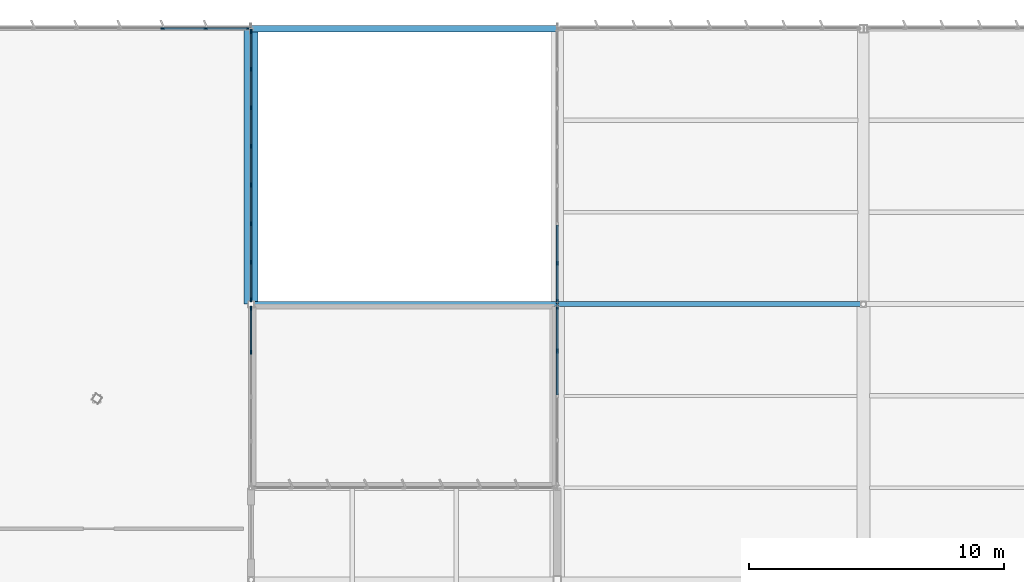
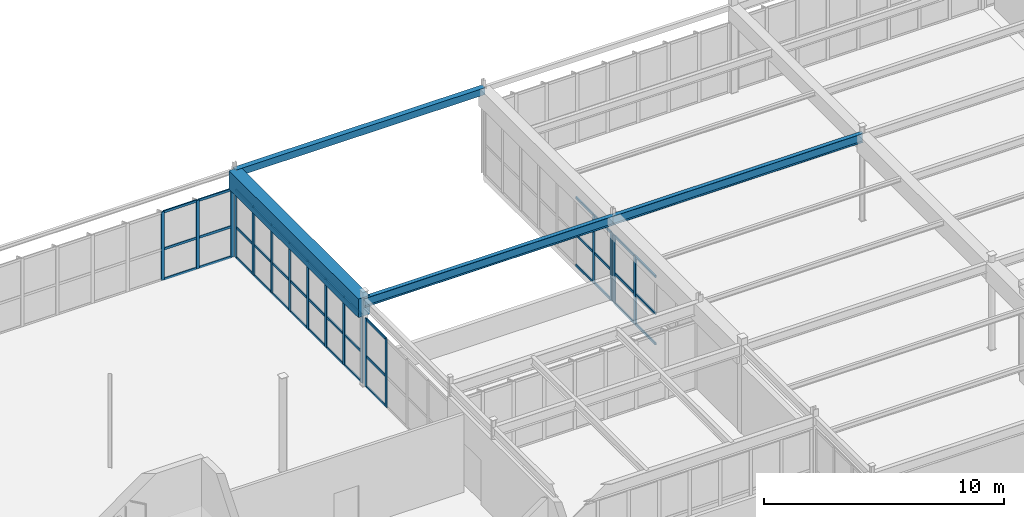
# One storey, part 127 of 226: 59 members, 4 beams, 5 elements without a shape of their own.
"""IFC4 building model written with IfcOpenShell, lengths in metres."""

from ifc_helpers import new_model, si_unit, direction, frame, origin, origin_2d, place, context, subcontext, project, spatial, rectangle, hollow_rectangle, i_section, extrude, material, layer, layer_set, material_profile, profile_set, type_object, element, aggregate, save


model = new_model("IFC4")

# Units and contexts
model_context = context("Model", 3, precision=1e-05, world=origin(), true_north=direction((0.0, 1.0)))
body_context = subcontext(model_context, "Body", "Model", "MODEL_VIEW")
ifc_project = project(units=[si_unit("LENGTHUNIT", "METRE"), si_unit("AREAUNIT", "SQUARE_METRE"), si_unit("VOLUMEUNIT", "CUBIC_METRE"), si_unit("PLANEANGLEUNIT", "RADIAN"), si_unit("MASSUNIT", "GRAM", prefix="KILO")], contexts=[model_context])

# Site, building, storey
site_placement = place(None, origin())
site = spatial("IfcSite", under=ifc_project, at=site_placement, CompositionType="ELEMENT")
building_placement = place(site_placement, origin())
building = spatial("IfcBuilding", under=site, at=building_placement, Name="Tarnwether General Hospital", CompositionType="ELEMENT")
storey_placement = place(building_placement, frame((0.0, 0.0, 4.800048828125)))
storey = spatial("IfcBuildingStorey", under=building, at=storey_placement, Name="L01", CompositionType="ELEMENT", Elevation=4.800048828125)

# Beams
ifc_material_1 = material(Name="Steel Grade 350 (350 MPa)", Category="steel")
ifc_material_profile_1 = material_profile(ifc_material_1, i_section(OverallWidth=0.19091796875, OverallDepth=0.4599609375, WebThickness=0.010009765625, FlangeThickness=0.01611328125, at=origin_2d()), Name="460UB82.1")
ifc_profile_set_1 = profile_set([ifc_material_profile_1], Name="Steel Grade 350 (350 MPa)")
beam_type_1 = type_object("IfcBeamType", Name="BM-G08", PredefinedType="BEAM", material=ifc_profile_set_1)
beam_1_placement = place(storey_placement, frame((132.0, 115.199951171875, 4.21484375), z_axis=(1.0, 0.0, 0.0), x_axis=(0.0, 1.0, 0.0)))
element("IfcBeam", 1, at=beam_1_placement, inside=storey, type_object=beam_type_1, Name="Primary Girder BMG-L01-13200_11520-14400_11520-1207", PredefinedType="BEAM", context=body_context, shape_type="SweptSolid", body=[
    extrude(i_section(OverallWidth=0.19091796875, OverallDepth=0.4599609375, WebThickness=0.010009765625, FlangeThickness=0.01611328125, at=origin_2d()), origin(), (0.0, 0.0, 1.0), 12.0),
])
ifc_material_2 = material(Name="Steel Grade 350 (350 MPa)", Category="steel")
ifc_material_profile_2 = material_profile(ifc_material_2, i_section(OverallWidth=0.18994140625, OverallDepth=0.45703125, WebThickness=0.009033203125, FlangeThickness=0.014404296875, at=origin_2d()), Name="460UB74.6")
ifc_profile_set_2 = profile_set([ifc_material_profile_2], Name="Steel Grade 350 (350 MPa)")
beam_type_2 = type_object("IfcBeamType", Name="BM-G09", PredefinedType="BEAM", material=ifc_profile_set_2)
beam_2_placement = place(storey_placement, frame((144.0, 115.199951171875, 4.216552734375), z_axis=(1.0, 0.0, 0.0), x_axis=(0.0, 1.0, 0.0)))
element("IfcBeam", 2, at=beam_2_placement, inside=storey, type_object=beam_type_2, Name="Primary Girder BMG-L01-14400_11520-15600_11520-1228", PredefinedType="BEAM", context=body_context, shape_type="SweptSolid", body=[
    extrude(i_section(OverallWidth=0.18994140625, OverallDepth=0.45703125, WebThickness=0.009033203125, FlangeThickness=0.014404296875, at=origin_2d()), origin(), (0.0, 0.0, 1.0), 12.0),
])
ifc_material_3 = material(Name="Concrete 40 MPa", Category="concrete")
ifc_material_profile_3 = material_profile(ifc_material_3, rectangle(XDim=0.550048828125, YDim=0.949951171875, at=origin_2d()), Name="RC-BM-550x950")
ifc_profile_set_3 = profile_set([ifc_material_profile_3], Name="Concrete 40 MPa")
beam_type_3 = type_object("IfcBeamType", Name="BM-G11", PredefinedType="BEAM", material=ifc_profile_set_3)
beam_3_placement = place(storey_placement, frame((132.0, 115.199951171875, 3.969970703125), z_axis=(0.0, 1.0, 0.0), x_axis=(-1.0, 0.0, 0.0)))
element("IfcBeam", 3, at=beam_3_placement, inside=storey, type_object=beam_type_3, Name="Primary Girder BMG-L01-13200_11520-13200_12600-1208", PredefinedType="BEAM", context=body_context, shape_type="SweptSolid", body=[
    extrude(rectangle(XDim=0.550048828125, YDim=0.949951171875, at=origin_2d()), origin(), (0.0, 0.0, 1.0), 10.800048828125),
])
ifc_material_4 = material(Name="Steel Grade C350L0 (350 MPa)", Category="steel")
ifc_material_profile_4 = material_profile(ifc_material_4, hollow_rectangle(XDim=0.25, YDim=0.35009765625, WallThickness=0.012451171875, at=origin_2d()), Name="RHS350x250x12.5")
ifc_profile_set_4 = profile_set([ifc_material_profile_4], Name="Steel Grade C350L0 (350 MPa)")
beam_type_4 = type_object("IfcBeamType", Name="BM-SP7", PredefinedType="SPANDREL", material=ifc_profile_set_4)
beam_4_placement = place(storey_placement, frame((132.0, 126.0, 4.27001953125), z_axis=(1.0, 0.0, 0.0), x_axis=(0.0, 1.0, 0.0)))
element("IfcBeam", 4, at=beam_4_placement, inside=storey, type_object=beam_type_4, Name="Primary Girder BMG-L01-13200_12600-14400_12600-1209", PredefinedType="SPANDREL", context=body_context, shape_type="SweptSolid", body=[
    extrude(hollow_rectangle(XDim=0.25, YDim=0.35009765625, WallThickness=0.012451171875, at=origin_2d()), origin(), (0.0, 0.0, 1.0), 12.0),
])

# Curtain wall, members
ifc_material_5 = material(Name="Anodised aluminium", Category="aluminium")
ifc_layer_1 = layer(ifc_material_5, 0.159912109375)
ifc_layer_set_1 = layer_set([ifc_layer_1], Name="Anodised aluminium")
curtain_wall_type_1 = type_object("IfcCurtainWallType", Name="CW-14", PredefinedType="NOTDEFINED", material=ifc_layer_set_1)
curtain_wall_1_placement = place(storey_placement, origin())
curtain_wall_1 = element("IfcCurtainWall", 5, at=curtain_wall_1_placement, inside=storey, type_object=curtain_wall_type_1, Name="Curtain Wall CWG-L01-1201_1260-0328", PredefinedType="NOTDEFINED")
ifc_material_6 = material(Name="Anodised aluminium", Category="aluminium")
ifc_material_profile_5 = material_profile(ifc_material_6, rectangle(XDim=0.06005859375, YDim=0.159912109375, at=origin_2d()), Name="ALU-MUL-60x160")
ifc_profile_set_5 = profile_set([ifc_material_profile_5], Name="Anodised aluminium")
member_type_1 = type_object("IfcMemberType", Name="CW-ML1", PredefinedType="MULLION", material=ifc_profile_set_5)
member_1_placement = place(storey_placement, frame((128.53173828125, 126.0, 0.0), z_axis=(0.0, 0.0, 1.0), x_axis=(0.0, 1.0, 0.0)))
member_1 = element("IfcMember", 6, at=member_1_placement, type_object=member_type_1, Name="CW-14 mullion 6", PredefinedType="MULLION", context=body_context, shape_type="SweptSolid", body=[
    extrude(rectangle(XDim=0.06005859375, YDim=0.159912109375, at=origin_2d()), origin(), (0.0, 0.0, 1.0), 3.47998046875),
])
member_2_placement = place(storey_placement, frame((130.223876953125, 126.0, 0.0), z_axis=(0.0, 0.0, 1.0), x_axis=(0.0, 1.0, 0.0)))
member_2 = element("IfcMember", 7, at=member_2_placement, type_object=member_type_1, Name="CW-14 mullion 7", PredefinedType="MULLION", context=body_context, shape_type="SweptSolid", body=[
    extrude(rectangle(XDim=0.06005859375, YDim=0.159912109375, at=origin_2d()), origin(), (0.0, 0.0, 1.0), 3.47998046875),
])
member_3_placement = place(storey_placement, frame((131.885986328125, 126.0, 0.0), z_axis=(0.0, 0.0, 1.0), x_axis=(0.0, 1.0, 0.0)))
member_3 = element("IfcMember", 8, at=member_3_placement, type_object=member_type_1, Name="CW-14 mullion 8", PredefinedType="MULLION", context=body_context, shape_type="SweptSolid", body=[
    extrude(rectangle(XDim=0.06005859375, YDim=0.159912109375, at=origin_2d()), origin(), (0.0, 0.0, 1.0), 3.47998046875),
])

ifc_material_7 = material(Name="Anodised aluminium", Category="aluminium")
ifc_layer_2 = layer(ifc_material_7, 0.159912109375)
ifc_layer_set_2 = layer_set([ifc_layer_2], Name="Anodised aluminium")
curtain_wall_type_2 = type_object("IfcCurtainWallType", Name="CW-15", PredefinedType="NOTDEFINED", material=ifc_layer_set_2)
curtain_wall_2_placement = place(storey_placement, origin())
curtain_wall_2 = element("IfcCurtainWall", 9, at=curtain_wall_2_placement, inside=storey, type_object=curtain_wall_type_2, Name="Curtain Wall CWG-L01-1320_1259-0375", PredefinedType="NOTDEFINED")
member_4_placement = place(storey_placement, frame((132.0, 125.885986328125, 0.0), z_axis=(0.0, 0.0, 1.0), x_axis=(1.0, 0.0, 0.0)))
member_4 = element("IfcMember", 10, at=member_4_placement, type_object=member_type_1, Name="CW-15 mullion 1", PredefinedType="MULLION", context=body_context, shape_type="SweptSolid", body=[
    extrude(rectangle(XDim=0.06005859375, YDim=0.159912109375, at=origin_2d()), origin(), (0.0, 0.0, 1.0), 3.47998046875),
])
member_5_placement = place(storey_placement, frame((132.0, 124.404052734375, 0.0), z_axis=(0.0, 0.0, 1.0), x_axis=(1.0, 0.0, 0.0)))
member_5 = element("IfcMember", 11, at=member_5_placement, type_object=member_type_1, Name="CW-15 mullion 2", PredefinedType="MULLION", context=body_context, shape_type="SweptSolid", body=[
    extrude(rectangle(XDim=0.06005859375, YDim=0.159912109375, at=origin_2d()), origin(), (0.0, 0.0, 1.0), 3.47998046875),
])
member_6_placement = place(storey_placement, frame((132.0, 122.892333984375, 0.0), z_axis=(0.0, 0.0, 1.0), x_axis=(1.0, 0.0, 0.0)))
member_6 = element("IfcMember", 12, at=member_6_placement, type_object=member_type_1, Name="CW-15 mullion 3", PredefinedType="MULLION", context=body_context, shape_type="SweptSolid", body=[
    extrude(rectangle(XDim=0.06005859375, YDim=0.159912109375, at=origin_2d()), origin(), (0.0, 0.0, 1.0), 3.47998046875),
])
member_7_placement = place(storey_placement, frame((132.0, 121.38037109375, 0.0), z_axis=(0.0, 0.0, 1.0), x_axis=(1.0, 0.0, 0.0)))
member_7 = element("IfcMember", 13, at=member_7_placement, type_object=member_type_1, Name="CW-15 mullion 4", PredefinedType="MULLION", context=body_context, shape_type="SweptSolid", body=[
    extrude(rectangle(XDim=0.06005859375, YDim=0.159912109375, at=origin_2d()), origin(), (0.0, 0.0, 1.0), 3.47998046875),
])
member_8_placement = place(storey_placement, frame((132.0, 119.86865234375, 0.0), z_axis=(0.0, 0.0, 1.0), x_axis=(1.0, 0.0, 0.0)))
member_8 = element("IfcMember", 14, at=member_8_placement, type_object=member_type_1, Name="CW-15 mullion 5", PredefinedType="MULLION", context=body_context, shape_type="SweptSolid", body=[
    extrude(rectangle(XDim=0.06005859375, YDim=0.159912109375, at=origin_2d()), origin(), (0.0, 0.0, 1.0), 3.47998046875),
])
member_9_placement = place(storey_placement, frame((132.0, 118.356689453125, 0.0), z_axis=(0.0, 0.0, 1.0), x_axis=(1.0, 0.0, 0.0)))
member_9 = element("IfcMember", 15, at=member_9_placement, type_object=member_type_1, Name="CW-15 mullion 6", PredefinedType="MULLION", context=body_context, shape_type="SweptSolid", body=[
    extrude(rectangle(XDim=0.06005859375, YDim=0.159912109375, at=origin_2d()), origin(), (0.0, 0.0, 1.0), 3.47998046875),
])
member_10_placement = place(storey_placement, frame((132.0, 116.844970703125, 0.0), z_axis=(0.0, 0.0, 1.0), x_axis=(1.0, 0.0, 0.0)))
member_10 = element("IfcMember", 16, at=member_10_placement, type_object=member_type_1, Name="CW-15 mullion 7", PredefinedType="MULLION", context=body_context, shape_type="SweptSolid", body=[
    extrude(rectangle(XDim=0.06005859375, YDim=0.159912109375, at=origin_2d()), origin(), (0.0, 0.0, 1.0), 3.47998046875),
])
member_11_placement = place(storey_placement, frame((132.0, 115.363037109375, 0.0), z_axis=(0.0, 0.0, 1.0), x_axis=(1.0, 0.0, 0.0)))
member_11 = element("IfcMember", 17, at=member_11_placement, type_object=member_type_1, Name="CW-15 mullion 8", PredefinedType="MULLION", context=body_context, shape_type="SweptSolid", body=[
    extrude(rectangle(XDim=0.06005859375, YDim=0.159912109375, at=origin_2d()), origin(), (0.0, 0.0, 1.0), 3.47998046875),
])

curtain_wall_3_placement = place(storey_placement, origin())
curtain_wall_3 = element("IfcCurtainWall", 18, at=curtain_wall_3_placement, inside=storey, type_object=curtain_wall_type_2, Name="Curtain Wall CWG-L01-1320_1151-0376", PredefinedType="NOTDEFINED")
member_12_placement = place(storey_placement, frame((132.0, 115.037109375, 0.0), z_axis=(0.0, 0.0, 1.0), x_axis=(1.0, 0.0, 0.0)))
member_12 = element("IfcMember", 19, at=member_12_placement, type_object=member_type_1, Name="CW-15 mullion 1", PredefinedType="MULLION", context=body_context, shape_type="SweptSolid", body=[
    extrude(rectangle(XDim=0.06005859375, YDim=0.159912109375, at=origin_2d()), origin(), (0.0, 0.0, 1.0), 3.47998046875),
])
member_13_placement = place(storey_placement, frame((132.0, 113.321044921875, 0.0), z_axis=(0.0, 0.0, 1.0), x_axis=(1.0, 0.0, 0.0)))
member_13 = element("IfcMember", 20, at=member_13_placement, type_object=member_type_1, Name="CW-15 mullion 2", PredefinedType="MULLION", context=body_context, shape_type="SweptSolid", body=[
    extrude(rectangle(XDim=0.06005859375, YDim=0.159912109375, at=origin_2d()), origin(), (0.0, 0.0, 1.0), 3.47998046875),
])

curtain_wall_4_placement = place(storey_placement, origin())
curtain_wall_4 = element("IfcCurtainWall", 21, at=curtain_wall_4_placement, inside=storey, type_object=curtain_wall_type_2, Name="Curtain Wall CWG-L01-1440_1081-0377", PredefinedType="NOTDEFINED")
member_14_placement = place(storey_placement, frame((144.0, 113.363037109375, 0.0), z_axis=(0.0, 0.0, 1.0), x_axis=(-1.0, 0.0, 0.0)))
member_14 = element("IfcMember", 22, at=member_14_placement, type_object=member_type_1, Name="CW-15 mullion 4", PredefinedType="MULLION", context=body_context, shape_type="SweptSolid", body=[
    extrude(rectangle(XDim=0.06005859375, YDim=0.159912109375, at=origin_2d()), origin(), (0.0, 0.0, 1.0), 3.47998046875),
])
member_15_placement = place(storey_placement, frame((144.0, 115.0830078125, 0.0), z_axis=(0.0, 0.0, 1.0), x_axis=(-1.0, 0.0, 0.0)))
member_15 = element("IfcMember", 23, at=member_15_placement, type_object=member_type_1, Name="CW-15 mullion 5", PredefinedType="MULLION", context=body_context, shape_type="SweptSolid", body=[
    extrude(rectangle(XDim=0.06005859375, YDim=0.159912109375, at=origin_2d()), origin(), (0.0, 0.0, 1.0), 3.47998046875),
])

curtain_wall_5_placement = place(storey_placement, origin())
curtain_wall_5 = element("IfcCurtainWall", 24, at=curtain_wall_5_placement, inside=storey, type_object=curtain_wall_type_2, Name="Curtain Wall CWG-L01-1440_1153-0378", PredefinedType="NOTDEFINED")
member_16_placement = place(storey_placement, frame((144.0, 115.31689453125, 0.0), z_axis=(0.0, 0.0, 1.0), x_axis=(-1.0, 0.0, 0.0)))
member_16 = element("IfcMember", 25, at=member_16_placement, type_object=member_type_1, Name="CW-15 mullion 1", PredefinedType="MULLION", context=body_context, shape_type="SweptSolid", body=[
    extrude(rectangle(XDim=0.06005859375, YDim=0.159912109375, at=origin_2d()), origin(), (0.0, 0.0, 1.0), 3.47998046875),
])
member_17_placement = place(storey_placement, frame((144.0, 116.805419921875, 0.0), z_axis=(0.0, 0.0, 1.0), x_axis=(-1.0, 0.0, 0.0)))
member_17 = element("IfcMember", 26, at=member_17_placement, type_object=member_type_1, Name="CW-15 mullion 2", PredefinedType="MULLION", context=body_context, shape_type="SweptSolid", body=[
    extrude(rectangle(XDim=0.06005859375, YDim=0.159912109375, at=origin_2d()), origin(), (0.0, 0.0, 1.0), 3.47998046875),
])

# Member
ifc_material_8 = material(Name="Anodised aluminium", Category="aluminium")
ifc_material_profile_6 = material_profile(ifc_material_8, rectangle(XDim=0.06005859375, YDim=0.1201171875, at=origin_2d()), Name="ALU-TRN-60x120")
ifc_profile_set_6 = profile_set([ifc_material_profile_6], Name="Anodised aluminium")
member_type_2 = type_object("IfcMemberType", Name="CW-TR1", PredefinedType="USERDEFINED", material=ifc_profile_set_6)
member_18_placement = place(storey_placement, frame((128.561767578125, 126.0, 0.030029296875), z_axis=(1.0, 0.0, 0.0), x_axis=(0.0, 1.0, 0.0)))
member_18 = element("IfcMember", 27, at=member_18_placement, type_object=member_type_2, Name="CW-14 transom 6.1", ObjectType="TRANSOM", PredefinedType="USERDEFINED", context=body_context, shape_type="SweptSolid", body=[
    extrude(rectangle(XDim=0.06005859375, YDim=0.1201171875, at=origin_2d()), origin(), (0.0, 0.0, 1.0), 1.632080078125),
])

member_19_placement = place(storey_placement, frame((128.561767578125, 126.0, 1.56591796875), z_axis=(1.0, 0.0, 0.0), x_axis=(0.0, 1.0, 0.0)))
member_19 = element("IfcMember", 28, at=member_19_placement, type_object=member_type_2, Name="CW-14 transom 6.2", ObjectType="TRANSOM", PredefinedType="USERDEFINED", context=body_context, shape_type="SweptSolid", body=[
    extrude(rectangle(XDim=0.06005859375, YDim=0.1201171875, at=origin_2d()), origin(), (0.0, 0.0, 1.0), 1.632080078125),
])

member_20_placement = place(storey_placement, frame((128.561767578125, 126.0, 3.449951171875), z_axis=(1.0, 0.0, 0.0), x_axis=(0.0, 1.0, 0.0)))
member_20 = element("IfcMember", 29, at=member_20_placement, type_object=member_type_2, Name="CW-14 transom 6.3", ObjectType="TRANSOM", PredefinedType="USERDEFINED", context=body_context, shape_type="SweptSolid", body=[
    extrude(rectangle(XDim=0.06005859375, YDim=0.1201171875, at=origin_2d()), origin(), (0.0, 0.0, 1.0), 1.632080078125),
])

member_21_placement = place(storey_placement, frame((130.25390625, 126.0, 0.030029296875), z_axis=(1.0, 0.0, 0.0), x_axis=(0.0, 1.0, 0.0)))
member_21 = element("IfcMember", 30, at=member_21_placement, type_object=member_type_2, Name="CW-14 transom 7.1", ObjectType="TRANSOM", PredefinedType="USERDEFINED", context=body_context, shape_type="SweptSolid", body=[
    extrude(rectangle(XDim=0.06005859375, YDim=0.1201171875, at=origin_2d()), origin(), (0.0, 0.0, 1.0), 1.60205078125),
])

member_22_placement = place(storey_placement, frame((130.25390625, 126.0, 1.56591796875), z_axis=(1.0, 0.0, 0.0), x_axis=(0.0, 1.0, 0.0)))
member_22 = element("IfcMember", 31, at=member_22_placement, type_object=member_type_2, Name="CW-14 transom 7.2", ObjectType="TRANSOM", PredefinedType="USERDEFINED", context=body_context, shape_type="SweptSolid", body=[
    extrude(rectangle(XDim=0.06005859375, YDim=0.1201171875, at=origin_2d()), origin(), (0.0, 0.0, 1.0), 1.60205078125),
])

member_23_placement = place(storey_placement, frame((130.25390625, 126.0, 3.449951171875), z_axis=(1.0, 0.0, 0.0), x_axis=(0.0, 1.0, 0.0)))
member_23 = element("IfcMember", 32, at=member_23_placement, type_object=member_type_2, Name="CW-14 transom 7.3", ObjectType="TRANSOM", PredefinedType="USERDEFINED", context=body_context, shape_type="SweptSolid", body=[
    extrude(rectangle(XDim=0.06005859375, YDim=0.1201171875, at=origin_2d()), origin(), (0.0, 0.0, 1.0), 1.60205078125),
])

aggregate(curtain_wall_1, [member_1, member_2, member_3, member_18, member_19, member_20, member_21, member_22, member_23])

member_24_placement = place(storey_placement, frame((132.0, 125.85595703125, 0.030029296875), z_axis=(0.0, -1.0, 0.0), x_axis=(1.0, 0.0, 0.0)))
member_24 = element("IfcMember", 33, at=member_24_placement, type_object=member_type_2, Name="CW-15 transom 1.1", ObjectType="TRANSOM", PredefinedType="USERDEFINED", context=body_context, shape_type="SweptSolid", body=[
    extrude(rectangle(XDim=0.06005859375, YDim=0.1201171875, at=origin_2d()), origin(), (0.0, 0.0, 1.0), 1.421875),
])

member_25_placement = place(storey_placement, frame((132.0, 125.85595703125, 1.56591796875), z_axis=(0.0, -1.0, 0.0), x_axis=(1.0, 0.0, 0.0)))
member_25 = element("IfcMember", 34, at=member_25_placement, type_object=member_type_2, Name="CW-15 transom 1.2", ObjectType="TRANSOM", PredefinedType="USERDEFINED", context=body_context, shape_type="SweptSolid", body=[
    extrude(rectangle(XDim=0.06005859375, YDim=0.1201171875, at=origin_2d()), origin(), (0.0, 0.0, 1.0), 1.421875),
])

member_26_placement = place(storey_placement, frame((132.0, 125.85595703125, 3.449951171875), z_axis=(0.0, -1.0, 0.0), x_axis=(1.0, 0.0, 0.0)))
member_26 = element("IfcMember", 35, at=member_26_placement, type_object=member_type_2, Name="CW-15 transom 1.3", ObjectType="TRANSOM", PredefinedType="USERDEFINED", context=body_context, shape_type="SweptSolid", body=[
    extrude(rectangle(XDim=0.06005859375, YDim=0.1201171875, at=origin_2d()), origin(), (0.0, 0.0, 1.0), 1.421875),
])

member_27_placement = place(storey_placement, frame((132.0, 124.3740234375, 0.030029296875), z_axis=(0.0, -1.0, 0.0), x_axis=(1.0, 0.0, 0.0)))
member_27 = element("IfcMember", 36, at=member_27_placement, type_object=member_type_2, Name="CW-15 transom 2.1", ObjectType="TRANSOM", PredefinedType="USERDEFINED", context=body_context, shape_type="SweptSolid", body=[
    extrude(rectangle(XDim=0.06005859375, YDim=0.1201171875, at=origin_2d()), origin(), (0.0, 0.0, 1.0), 1.45166015625),
])

member_28_placement = place(storey_placement, frame((132.0, 124.3740234375, 1.56591796875), z_axis=(0.0, -1.0, 0.0), x_axis=(1.0, 0.0, 0.0)))
member_28 = element("IfcMember", 37, at=member_28_placement, type_object=member_type_2, Name="CW-15 transom 2.2", ObjectType="TRANSOM", PredefinedType="USERDEFINED", context=body_context, shape_type="SweptSolid", body=[
    extrude(rectangle(XDim=0.06005859375, YDim=0.1201171875, at=origin_2d()), origin(), (0.0, 0.0, 1.0), 1.45166015625),
])

member_29_placement = place(storey_placement, frame((132.0, 124.3740234375, 3.449951171875), z_axis=(0.0, -1.0, 0.0), x_axis=(1.0, 0.0, 0.0)))
member_29 = element("IfcMember", 38, at=member_29_placement, type_object=member_type_2, Name="CW-15 transom 2.3", ObjectType="TRANSOM", PredefinedType="USERDEFINED", context=body_context, shape_type="SweptSolid", body=[
    extrude(rectangle(XDim=0.06005859375, YDim=0.1201171875, at=origin_2d()), origin(), (0.0, 0.0, 1.0), 1.45166015625),
])

member_30_placement = place(storey_placement, frame((132.0, 122.8623046875, 0.030029296875), z_axis=(0.0, -1.0, 0.0), x_axis=(1.0, 0.0, 0.0)))
member_30 = element("IfcMember", 39, at=member_30_placement, type_object=member_type_2, Name="CW-15 transom 3.1", ObjectType="TRANSOM", PredefinedType="USERDEFINED", context=body_context, shape_type="SweptSolid", body=[
    extrude(rectangle(XDim=0.06005859375, YDim=0.1201171875, at=origin_2d()), origin(), (0.0, 0.0, 1.0), 1.451904296875),
])

member_31_placement = place(storey_placement, frame((132.0, 122.8623046875, 1.56591796875), z_axis=(0.0, -1.0, 0.0), x_axis=(1.0, 0.0, 0.0)))
member_31 = element("IfcMember", 40, at=member_31_placement, type_object=member_type_2, Name="CW-15 transom 3.2", ObjectType="TRANSOM", PredefinedType="USERDEFINED", context=body_context, shape_type="SweptSolid", body=[
    extrude(rectangle(XDim=0.06005859375, YDim=0.1201171875, at=origin_2d()), origin(), (0.0, 0.0, 1.0), 1.451904296875),
])

member_32_placement = place(storey_placement, frame((132.0, 122.8623046875, 3.449951171875), z_axis=(0.0, -1.0, 0.0), x_axis=(1.0, 0.0, 0.0)))
member_32 = element("IfcMember", 41, at=member_32_placement, type_object=member_type_2, Name="CW-15 transom 3.3", ObjectType="TRANSOM", PredefinedType="USERDEFINED", context=body_context, shape_type="SweptSolid", body=[
    extrude(rectangle(XDim=0.06005859375, YDim=0.1201171875, at=origin_2d()), origin(), (0.0, 0.0, 1.0), 1.451904296875),
])

member_33_placement = place(storey_placement, frame((132.0, 121.350341796875, 0.030029296875), z_axis=(0.0, -1.0, 0.0), x_axis=(1.0, 0.0, 0.0)))
member_33 = element("IfcMember", 42, at=member_33_placement, type_object=member_type_2, Name="CW-15 transom 4.1", ObjectType="TRANSOM", PredefinedType="USERDEFINED", context=body_context, shape_type="SweptSolid", body=[
    extrude(rectangle(XDim=0.06005859375, YDim=0.1201171875, at=origin_2d()), origin(), (0.0, 0.0, 1.0), 1.45166015625),
])

member_34_placement = place(storey_placement, frame((132.0, 121.350341796875, 1.56591796875), z_axis=(0.0, -1.0, 0.0), x_axis=(1.0, 0.0, 0.0)))
member_34 = element("IfcMember", 43, at=member_34_placement, type_object=member_type_2, Name="CW-15 transom 4.2", ObjectType="TRANSOM", PredefinedType="USERDEFINED", context=body_context, shape_type="SweptSolid", body=[
    extrude(rectangle(XDim=0.06005859375, YDim=0.1201171875, at=origin_2d()), origin(), (0.0, 0.0, 1.0), 1.45166015625),
])

member_35_placement = place(storey_placement, frame((132.0, 121.350341796875, 3.449951171875), z_axis=(0.0, -1.0, 0.0), x_axis=(1.0, 0.0, 0.0)))
member_35 = element("IfcMember", 44, at=member_35_placement, type_object=member_type_2, Name="CW-15 transom 4.3", ObjectType="TRANSOM", PredefinedType="USERDEFINED", context=body_context, shape_type="SweptSolid", body=[
    extrude(rectangle(XDim=0.06005859375, YDim=0.1201171875, at=origin_2d()), origin(), (0.0, 0.0, 1.0), 1.45166015625),
])

member_36_placement = place(storey_placement, frame((132.0, 119.838623046875, 0.030029296875), z_axis=(0.0, -1.0, 0.0), x_axis=(1.0, 0.0, 0.0)))
member_36 = element("IfcMember", 45, at=member_36_placement, type_object=member_type_2, Name="CW-15 transom 5.1", ObjectType="TRANSOM", PredefinedType="USERDEFINED", context=body_context, shape_type="SweptSolid", body=[
    extrude(rectangle(XDim=0.06005859375, YDim=0.1201171875, at=origin_2d()), origin(), (0.0, 0.0, 1.0), 1.451904296875),
])

member_37_placement = place(storey_placement, frame((132.0, 119.838623046875, 1.56591796875), z_axis=(0.0, -1.0, 0.0), x_axis=(1.0, 0.0, 0.0)))
member_37 = element("IfcMember", 46, at=member_37_placement, type_object=member_type_2, Name="CW-15 transom 5.2", ObjectType="TRANSOM", PredefinedType="USERDEFINED", context=body_context, shape_type="SweptSolid", body=[
    extrude(rectangle(XDim=0.06005859375, YDim=0.1201171875, at=origin_2d()), origin(), (0.0, 0.0, 1.0), 1.451904296875),
])

member_38_placement = place(storey_placement, frame((132.0, 119.838623046875, 3.449951171875), z_axis=(0.0, -1.0, 0.0), x_axis=(1.0, 0.0, 0.0)))
member_38 = element("IfcMember", 47, at=member_38_placement, type_object=member_type_2, Name="CW-15 transom 5.3", ObjectType="TRANSOM", PredefinedType="USERDEFINED", context=body_context, shape_type="SweptSolid", body=[
    extrude(rectangle(XDim=0.06005859375, YDim=0.1201171875, at=origin_2d()), origin(), (0.0, 0.0, 1.0), 1.451904296875),
])

member_39_placement = place(storey_placement, frame((132.0, 118.32666015625, 0.030029296875), z_axis=(0.0, -1.0, 0.0), x_axis=(1.0, 0.0, 0.0)))
member_39 = element("IfcMember", 48, at=member_39_placement, type_object=member_type_2, Name="CW-15 transom 6.1", ObjectType="TRANSOM", PredefinedType="USERDEFINED", context=body_context, shape_type="SweptSolid", body=[
    extrude(rectangle(XDim=0.06005859375, YDim=0.1201171875, at=origin_2d()), origin(), (0.0, 0.0, 1.0), 1.451904296875),
])

member_40_placement = place(storey_placement, frame((132.0, 118.32666015625, 1.56591796875), z_axis=(0.0, -1.0, 0.0), x_axis=(1.0, 0.0, 0.0)))
member_40 = element("IfcMember", 49, at=member_40_placement, type_object=member_type_2, Name="CW-15 transom 6.2", ObjectType="TRANSOM", PredefinedType="USERDEFINED", context=body_context, shape_type="SweptSolid", body=[
    extrude(rectangle(XDim=0.06005859375, YDim=0.1201171875, at=origin_2d()), origin(), (0.0, 0.0, 1.0), 1.451904296875),
])

member_41_placement = place(storey_placement, frame((132.0, 118.32666015625, 3.449951171875), z_axis=(0.0, -1.0, 0.0), x_axis=(1.0, 0.0, 0.0)))
member_41 = element("IfcMember", 50, at=member_41_placement, type_object=member_type_2, Name="CW-15 transom 6.3", ObjectType="TRANSOM", PredefinedType="USERDEFINED", context=body_context, shape_type="SweptSolid", body=[
    extrude(rectangle(XDim=0.06005859375, YDim=0.1201171875, at=origin_2d()), origin(), (0.0, 0.0, 1.0), 1.451904296875),
])

member_42_placement = place(storey_placement, frame((132.0, 116.81494140625, 0.030029296875), z_axis=(0.0, -1.0, 0.0), x_axis=(1.0, 0.0, 0.0)))
member_42 = element("IfcMember", 51, at=member_42_placement, type_object=member_type_2, Name="CW-15 transom 7.1", ObjectType="TRANSOM", PredefinedType="USERDEFINED", context=body_context, shape_type="SweptSolid", body=[
    extrude(rectangle(XDim=0.06005859375, YDim=0.1201171875, at=origin_2d()), origin(), (0.0, 0.0, 1.0), 1.421875),
])

member_43_placement = place(storey_placement, frame((132.0, 116.81494140625, 1.56591796875), z_axis=(0.0, -1.0, 0.0), x_axis=(1.0, 0.0, 0.0)))
member_43 = element("IfcMember", 52, at=member_43_placement, type_object=member_type_2, Name="CW-15 transom 7.2", ObjectType="TRANSOM", PredefinedType="USERDEFINED", context=body_context, shape_type="SweptSolid", body=[
    extrude(rectangle(XDim=0.06005859375, YDim=0.1201171875, at=origin_2d()), origin(), (0.0, 0.0, 1.0), 1.421875),
])

member_44_placement = place(storey_placement, frame((132.0, 116.81494140625, 3.449951171875), z_axis=(0.0, -1.0, 0.0), x_axis=(1.0, 0.0, 0.0)))
member_44 = element("IfcMember", 53, at=member_44_placement, type_object=member_type_2, Name="CW-15 transom 7.3", ObjectType="TRANSOM", PredefinedType="USERDEFINED", context=body_context, shape_type="SweptSolid", body=[
    extrude(rectangle(XDim=0.06005859375, YDim=0.1201171875, at=origin_2d()), origin(), (0.0, 0.0, 1.0), 1.421875),
])

aggregate(curtain_wall_2, [member_4, member_5, member_6, member_7, member_8, member_9, member_10, member_11, member_24, member_25, member_26, member_27, member_28, member_29, member_30, member_31, member_32, member_33, member_34, member_35, member_36, member_37, member_38, member_39, member_40, member_41, member_42, member_43, member_44])

member_45_placement = place(storey_placement, frame((132.0, 115.007080078125, 0.030029296875), z_axis=(0.0, -1.0, 0.0), x_axis=(1.0, 0.0, 0.0)))
member_45 = element("IfcMember", 54, at=member_45_placement, type_object=member_type_2, Name="CW-15 transom 1.1", ObjectType="TRANSOM", PredefinedType="USERDEFINED", context=body_context, shape_type="SweptSolid", body=[
    extrude(rectangle(XDim=0.06005859375, YDim=0.1201171875, at=origin_2d()), origin(), (0.0, 0.0, 1.0), 1.656005859375),
])

member_46_placement = place(storey_placement, frame((132.0, 115.007080078125, 1.56591796875), z_axis=(0.0, -1.0, 0.0), x_axis=(1.0, 0.0, 0.0)))
member_46 = element("IfcMember", 55, at=member_46_placement, type_object=member_type_2, Name="CW-15 transom 1.2", ObjectType="TRANSOM", PredefinedType="USERDEFINED", context=body_context, shape_type="SweptSolid", body=[
    extrude(rectangle(XDim=0.06005859375, YDim=0.1201171875, at=origin_2d()), origin(), (0.0, 0.0, 1.0), 1.656005859375),
])

member_47_placement = place(storey_placement, frame((132.0, 115.007080078125, 3.449951171875), z_axis=(0.0, -1.0, 0.0), x_axis=(1.0, 0.0, 0.0)))
member_47 = element("IfcMember", 56, at=member_47_placement, type_object=member_type_2, Name="CW-15 transom 1.3", ObjectType="TRANSOM", PredefinedType="USERDEFINED", context=body_context, shape_type="SweptSolid", body=[
    extrude(rectangle(XDim=0.06005859375, YDim=0.1201171875, at=origin_2d()), origin(), (0.0, 0.0, 1.0), 1.656005859375),
])

aggregate(curtain_wall_3, [member_12, member_13, member_45, member_46, member_47])

member_48_placement = place(storey_placement, frame((144.0, 111.64306640625, 0.030029296875), z_axis=(0.0, 1.0, 0.0), x_axis=(-1.0, 0.0, 0.0)))
member_48 = element("IfcMember", 57, at=member_48_placement, type_object=member_type_2, Name="CW-15 transom 3.1", ObjectType="TRANSOM", PredefinedType="USERDEFINED", context=body_context, shape_type="SweptSolid", body=[
    extrude(rectangle(XDim=0.06005859375, YDim=0.1201171875, at=origin_2d()), origin(), (0.0, 0.0, 1.0), 1.68994140625),
])

member_49_placement = place(storey_placement, frame((144.0, 111.64306640625, 1.56591796875), z_axis=(0.0, 1.0, 0.0), x_axis=(-1.0, 0.0, 0.0)))
member_49 = element("IfcMember", 58, at=member_49_placement, type_object=member_type_2, Name="CW-15 transom 3.2", ObjectType="TRANSOM", PredefinedType="USERDEFINED", context=body_context, shape_type="SweptSolid", body=[
    extrude(rectangle(XDim=0.06005859375, YDim=0.1201171875, at=origin_2d()), origin(), (0.0, 0.0, 1.0), 1.68994140625),
])

member_50_placement = place(storey_placement, frame((144.0, 111.64306640625, 3.449951171875), z_axis=(0.0, 1.0, 0.0), x_axis=(-1.0, 0.0, 0.0)))
member_50 = element("IfcMember", 59, at=member_50_placement, type_object=member_type_2, Name="CW-15 transom 3.3", ObjectType="TRANSOM", PredefinedType="USERDEFINED", context=body_context, shape_type="SweptSolid", body=[
    extrude(rectangle(XDim=0.06005859375, YDim=0.1201171875, at=origin_2d()), origin(), (0.0, 0.0, 1.0), 1.68994140625),
])

member_51_placement = place(storey_placement, frame((144.0, 113.39306640625, 0.030029296875), z_axis=(0.0, 1.0, 0.0), x_axis=(-1.0, 0.0, 0.0)))
member_51 = element("IfcMember", 60, at=member_51_placement, type_object=member_type_2, Name="CW-15 transom 4.1", ObjectType="TRANSOM", PredefinedType="USERDEFINED", context=body_context, shape_type="SweptSolid", body=[
    extrude(rectangle(XDim=0.06005859375, YDim=0.1201171875, at=origin_2d()), origin(), (0.0, 0.0, 1.0), 1.659912109375),
])

member_52_placement = place(storey_placement, frame((144.0, 113.39306640625, 1.56591796875), z_axis=(0.0, 1.0, 0.0), x_axis=(-1.0, 0.0, 0.0)))
member_52 = element("IfcMember", 61, at=member_52_placement, type_object=member_type_2, Name="CW-15 transom 4.2", ObjectType="TRANSOM", PredefinedType="USERDEFINED", context=body_context, shape_type="SweptSolid", body=[
    extrude(rectangle(XDim=0.06005859375, YDim=0.1201171875, at=origin_2d()), origin(), (0.0, 0.0, 1.0), 1.659912109375),
])

member_53_placement = place(storey_placement, frame((144.0, 113.39306640625, 3.449951171875), z_axis=(0.0, 1.0, 0.0), x_axis=(-1.0, 0.0, 0.0)))
member_53 = element("IfcMember", 62, at=member_53_placement, type_object=member_type_2, Name="CW-15 transom 4.3", ObjectType="TRANSOM", PredefinedType="USERDEFINED", context=body_context, shape_type="SweptSolid", body=[
    extrude(rectangle(XDim=0.06005859375, YDim=0.1201171875, at=origin_2d()), origin(), (0.0, 0.0, 1.0), 1.659912109375),
])

aggregate(curtain_wall_4, [member_14, member_15, member_48, member_49, member_50, member_51, member_52, member_53])

member_54_placement = place(storey_placement, frame((144.0, 115.346923828125, 0.030029296875), z_axis=(0.0, 1.0, 0.0), x_axis=(-1.0, 0.0, 0.0)))
member_54 = element("IfcMember", 63, at=member_54_placement, type_object=member_type_2, Name="CW-15 transom 1.1", ObjectType="TRANSOM", PredefinedType="USERDEFINED", context=body_context, shape_type="SweptSolid", body=[
    extrude(rectangle(XDim=0.06005859375, YDim=0.1201171875, at=origin_2d()), origin(), (0.0, 0.0, 1.0), 1.428466796875),
])

member_55_placement = place(storey_placement, frame((144.0, 115.346923828125, 1.56591796875), z_axis=(0.0, 1.0, 0.0), x_axis=(-1.0, 0.0, 0.0)))
member_55 = element("IfcMember", 64, at=member_55_placement, type_object=member_type_2, Name="CW-15 transom 1.2", ObjectType="TRANSOM", PredefinedType="USERDEFINED", context=body_context, shape_type="SweptSolid", body=[
    extrude(rectangle(XDim=0.06005859375, YDim=0.1201171875, at=origin_2d()), origin(), (0.0, 0.0, 1.0), 1.428466796875),
])

member_56_placement = place(storey_placement, frame((144.0, 115.346923828125, 3.449951171875), z_axis=(0.0, 1.0, 0.0), x_axis=(-1.0, 0.0, 0.0)))
member_56 = element("IfcMember", 65, at=member_56_placement, type_object=member_type_2, Name="CW-15 transom 1.3", ObjectType="TRANSOM", PredefinedType="USERDEFINED", context=body_context, shape_type="SweptSolid", body=[
    extrude(rectangle(XDim=0.06005859375, YDim=0.1201171875, at=origin_2d()), origin(), (0.0, 0.0, 1.0), 1.428466796875),
])

member_57_placement = place(storey_placement, frame((144.0, 116.83544921875, 0.030029296875), z_axis=(0.0, 1.0, 0.0), x_axis=(-1.0, 0.0, 0.0)))
member_57 = element("IfcMember", 66, at=member_57_placement, type_object=member_type_2, Name="CW-15 transom 2.1", ObjectType="TRANSOM", PredefinedType="USERDEFINED", context=body_context, shape_type="SweptSolid", body=[
    extrude(rectangle(XDim=0.06005859375, YDim=0.1201171875, at=origin_2d()), origin(), (0.0, 0.0, 1.0), 1.45849609375),
])

member_58_placement = place(storey_placement, frame((144.0, 116.83544921875, 1.56591796875), z_axis=(0.0, 1.0, 0.0), x_axis=(-1.0, 0.0, 0.0)))
member_58 = element("IfcMember", 67, at=member_58_placement, type_object=member_type_2, Name="CW-15 transom 2.2", ObjectType="TRANSOM", PredefinedType="USERDEFINED", context=body_context, shape_type="SweptSolid", body=[
    extrude(rectangle(XDim=0.06005859375, YDim=0.1201171875, at=origin_2d()), origin(), (0.0, 0.0, 1.0), 1.45849609375),
])

member_59_placement = place(storey_placement, frame((144.0, 116.83544921875, 3.449951171875), z_axis=(0.0, 1.0, 0.0), x_axis=(-1.0, 0.0, 0.0)))
member_59 = element("IfcMember", 68, at=member_59_placement, type_object=member_type_2, Name="CW-15 transom 2.3", ObjectType="TRANSOM", PredefinedType="USERDEFINED", context=body_context, shape_type="SweptSolid", body=[
    extrude(rectangle(XDim=0.06005859375, YDim=0.1201171875, at=origin_2d()), origin(), (0.0, 0.0, 1.0), 1.45849609375),
])

aggregate(curtain_wall_5, [member_16, member_17, member_54, member_55, member_56, member_57, member_58, member_59])

save(model, "model.ifc")
